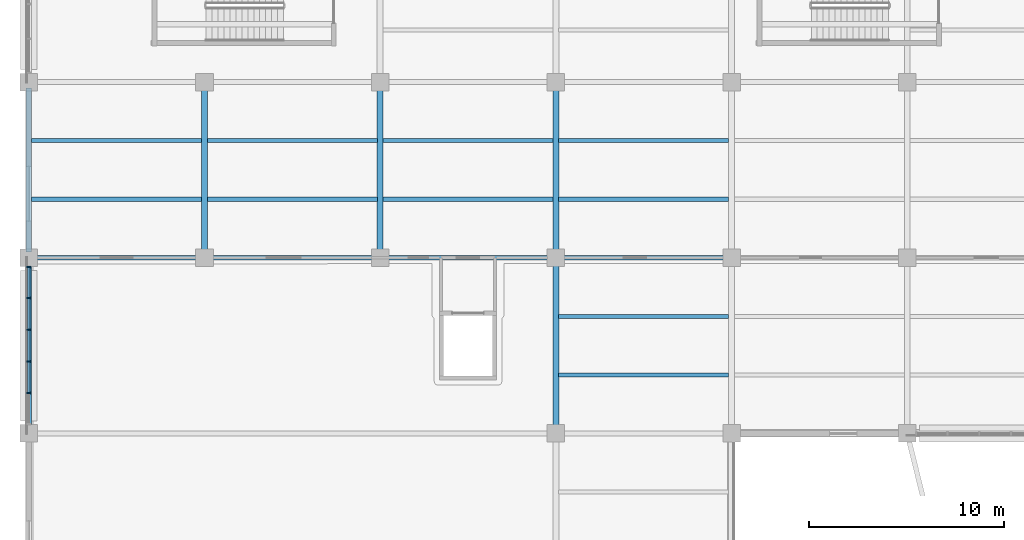
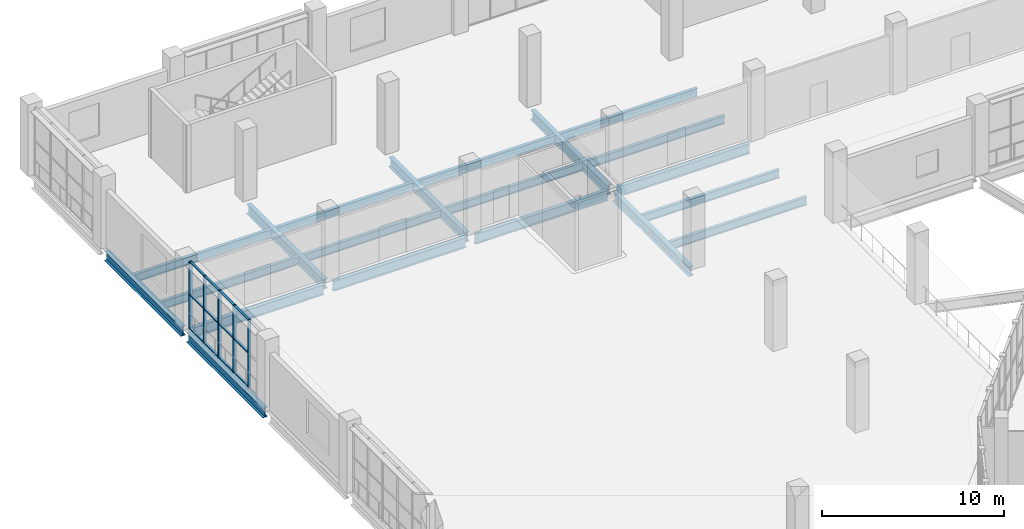
# One storey, part 49 of 183: 20 beams, 17 members, 1 element without a shape of its own.
"""IFC4 building model written with IfcOpenShell, lengths in metres."""

from ifc_helpers import new_model, si_unit, direction, frame, origin, origin_2d, place, context, subcontext, project, spatial, rectangle, i_section, extrude, material, material_profile, profile_set, type_object, element, aggregate, save


model = new_model("IFC4")

# Units and contexts
model_context = context("Model", 3, precision=1e-05, world=origin(), true_north=direction((0.0, 1.0)))
body_context = subcontext(model_context, "Body", "Model", "MODEL_VIEW")
ifc_project = project(units=[si_unit("LENGTHUNIT", "METRE"), si_unit("AREAUNIT", "SQUARE_METRE"), si_unit("VOLUMEUNIT", "CUBIC_METRE"), si_unit("PLANEANGLEUNIT", "RADIAN"), si_unit("MASSUNIT", "GRAM", prefix="KILO")], contexts=[model_context])

# Site, building, storey
site_placement = place(None, origin())
site = spatial("IfcSite", under=ifc_project, at=site_placement, CompositionType="ELEMENT")
building_placement = place(site_placement, origin())
building = spatial("IfcBuilding", under=site, at=building_placement, Name="Zevraka Park Crest Stadium", CompositionType="ELEMENT")
storey_placement = place(building_placement, frame((0.0, 0.0, 5.39990234375)))
storey = spatial("IfcBuildingStorey", under=building, at=storey_placement, Name="L01", CompositionType="ELEMENT", Elevation=5.39990234375)

# Beams
ifc_material_1 = material(Name="Steel S355", Category="steel")
ifc_material_profile_1 = material_profile(ifc_material_1, i_section(OverallWidth=0.253662109375, OverallDepth=0.68359375, WebThickness=0.012451171875, FlangeThickness=0.01904296875, at=origin_2d()), Name="UKB 686x254x140")
ifc_profile_set_1 = profile_set([ifc_material_profile_1], Name="Steel S355")
beam_type_1 = type_object("IfcBeamType", Name="BG05", PredefinedType="BEAM", material=ifc_profile_set_1)
for number, where, z_axis, x_axis, name in (
    (1, (0.300048828125, 167.0, -0.649658203125), (1.0, 0.0, 0.0), (0.0, 1.0, 0.0), "Wing Girder BG05 L01-12/U"),
    (2, (9.300048828125, 167.0, -0.649658203125), (1.0, 0.0, 0.0), (0.0, 1.0, 0.0), "Wing Girder BG05 L01-23/U"),
    (3, (18.300048828125, 167.0, -0.649658203125), (1.0, 0.0, 0.0), (0.0, 1.0, 0.0), "Wing Girder BG05 L01-34/U"),
    (4, (27.300048828125, 167.0, -0.649658203125), (1.0, 0.0, 0.0), (0.0, 1.0, 0.0), "Wing Girder BG05 L01-45/U"),
):
    element("IfcBeam", number, at=place(storey_placement, frame(where, z_axis=z_axis, x_axis=x_axis)), inside=storey, type_object=beam_type_1, Name=name, PredefinedType="BEAM", context=body_context, shape_type="SweptSolid", body=[
        extrude(i_section(OverallWidth=0.253662109375, OverallDepth=0.68359375, WebThickness=0.012451171875, FlangeThickness=0.01904296875, at=origin_2d()), origin(), (0.0, 0.0, 1.0), 8.39990234375),
    ])
ifc_material_2 = material(Name="Steel S355", Category="steel")
ifc_material_profile_2 = material_profile(ifc_material_2, i_section(OverallWidth=0.300048828125, OverallDepth=0.64990234375, WebThickness=0.01611328125, FlangeThickness=0.031005859375, at=origin_2d()), Name="HEB 650")
ifc_profile_set_2 = profile_set([ifc_material_profile_2], Name="Steel S355")
beam_type_2 = type_object("IfcBeamType", Name="BG07", PredefinedType="BEAM", material=ifc_profile_set_2)
for number, where, z_axis, x_axis, name in (
    (5, (0.0, 158.300048828125, -0.6328125), (0.0, 1.0, 0.0), (-1.0, 0.0, 0.0), "Wing Girder BG07 L01-1/TU"),
    (6, (0.0, 167.300048828125, -0.6328125), (0.0, 1.0, 0.0), (-1.0, 0.0, 0.0), "Wing Girder BG07 L01-1/UV"),
    (7, (9.0, 167.300048828125, -0.6328125), (0.0, 1.0, 0.0), (-1.0, 0.0, 0.0), "Wing Girder BG07 L01-2/UV"),
    (8, (18.0, 167.300048828125, -0.6328125), (0.0, 1.0, 0.0), (-1.0, 0.0, 0.0), "Wing Girder BG07 L01-3/UV"),
    (9, (27.0, 158.300048828125, -0.6328125), (0.0, 1.0, 0.0), (-1.0, 0.0, 0.0), "Wing Girder BG07 L01-4/TU"),
    (10, (27.0, 167.300048828125, -0.6328125), (0.0, 1.0, 0.0), (-1.0, 0.0, 0.0), "Wing Girder BG07 L01-4/UV"),
):
    element("IfcBeam", number, at=place(storey_placement, frame(where, z_axis=z_axis, x_axis=x_axis)), inside=storey, type_object=beam_type_2, Name=name, PredefinedType="BEAM", context=body_context, shape_type="SweptSolid", body=[
        extrude(i_section(OverallWidth=0.300048828125, OverallDepth=0.64990234375, WebThickness=0.01611328125, FlangeThickness=0.031005859375, at=origin_2d()), origin(), (0.0, 0.0, 1.0), 8.39990234375),
    ])

# Curtain wall, members
ifc_material_3 = material(Name="Anodised architectural aluminium and laminated safety glass", Category="aluminium")
curtain_wall_type = type_object("IfcCurtainWallType", Name="CW27", PredefinedType="NOTDEFINED", material=ifc_material_3)
curtain_wall_placement = place(storey_placement, origin())
curtain_wall = element("IfcCurtainWall", 11, at=curtain_wall_placement, inside=storey, type_object=curtain_wall_type, Name="Wing Curtain Wall CW27 L01-NW-W-6", PredefinedType="NOTDEFINED")
ifc_material_4 = material(Name="Anodised architectural aluminium", Category="aluminium")
ifc_material_profile_3 = material_profile(ifc_material_4, rectangle(XDim=0.199951171875, YDim=0.070068359375, at=origin_2d()), Name="ALU MULLION 200x70")
ifc_profile_set_3 = profile_set([ifc_material_profile_3], Name="Anodised architectural aluminium")
member_type_1 = type_object("IfcMemberType", Name="CM03", PredefinedType="MULLION", material=ifc_profile_set_3)
member_1_placement = place(storey_placement, frame((0.0, 160.06396484375, 0.0), z_axis=(0.0, 0.0, 1.0), x_axis=(-1.0, 0.0, 0.0)))
member_1 = element("IfcMember", 12, at=member_1_placement, type_object=member_type_1, Name="CW27 mullion 2", PredefinedType="MULLION", context=body_context, shape_type="SweptSolid", body=[
    extrude(rectangle(XDim=0.199951171875, YDim=0.070068359375, at=origin_2d()), origin(), (0.0, 0.0, 1.0), 4.52001953125),
])
member_2_placement = place(storey_placement, frame((0.0, 161.68798828125, 0.0), z_axis=(0.0, 0.0, 1.0), x_axis=(-1.0, 0.0, 0.0)))
member_2 = element("IfcMember", 13, at=member_2_placement, type_object=member_type_1, Name="CW27 mullion 3", PredefinedType="MULLION", context=body_context, shape_type="SweptSolid", body=[
    extrude(rectangle(XDim=0.199951171875, YDim=0.070068359375, at=origin_2d()), origin(), (0.0, 0.0, 1.0), 4.52001953125),
])
member_3_placement = place(storey_placement, frame((0.0, 163.31201171875, 0.0), z_axis=(0.0, 0.0, 1.0), x_axis=(-1.0, 0.0, 0.0)))
member_3 = element("IfcMember", 14, at=member_3_placement, type_object=member_type_1, Name="CW27 mullion 4", PredefinedType="MULLION", context=body_context, shape_type="SweptSolid", body=[
    extrude(rectangle(XDim=0.199951171875, YDim=0.070068359375, at=origin_2d()), origin(), (0.0, 0.0, 1.0), 4.52001953125),
])
member_4_placement = place(storey_placement, frame((0.0, 164.93603515625, 0.0), z_axis=(0.0, 0.0, 1.0), x_axis=(-1.0, 0.0, 0.0)))
member_4 = element("IfcMember", 15, at=member_4_placement, type_object=member_type_1, Name="CW27 mullion 5", PredefinedType="MULLION", context=body_context, shape_type="SweptSolid", body=[
    extrude(rectangle(XDim=0.199951171875, YDim=0.070068359375, at=origin_2d()), origin(), (0.0, 0.0, 1.0), 4.52001953125),
])
member_5_placement = place(storey_placement, frame((0.0, 166.52490234375, 0.0), z_axis=(0.0, 0.0, 1.0), x_axis=(-1.0, 0.0, 0.0)))
member_5 = element("IfcMember", 16, at=member_5_placement, type_object=member_type_1, Name="CW27 mullion 6", PredefinedType="MULLION", context=body_context, shape_type="SweptSolid", body=[
    extrude(rectangle(XDim=0.199951171875, YDim=0.070068359375, at=origin_2d()), origin(), (0.0, 0.0, 1.0), 4.52001953125),
])
ifc_material_5 = material(Name="Anodised architectural aluminium", Category="aluminium")
ifc_material_profile_4 = material_profile(ifc_material_5, rectangle(XDim=0.14990234375, YDim=0.070068359375, at=origin_2d()), Name="ALU TRANSOM 150x70")
ifc_profile_set_4 = profile_set([ifc_material_profile_4], Name="Anodised architectural aluminium")
member_type_2 = type_object("IfcMemberType", Name="CT03", PredefinedType="USERDEFINED", material=ifc_profile_set_4)
member_6_placement = place(storey_placement, frame((0.0, 160.09912109375, 0.03515625), z_axis=(0.0, 1.0, 0.0), x_axis=(-1.0, 0.0, 0.0)))
member_6 = element("IfcMember", 17, at=member_6_placement, type_object=member_type_2, Name="CW27 transom 2.1", ObjectType="TRANSOM", PredefinedType="USERDEFINED", context=body_context, shape_type="SweptSolid", body=[
    extrude(rectangle(XDim=0.14990234375, YDim=0.070068359375, at=origin_2d()), origin(), (0.0, 0.0, 1.0), 1.553955078125),
])
member_7_placement = place(storey_placement, frame((0.0, 160.09912109375, 2.300048828125), z_axis=(0.0, 1.0, 0.0), x_axis=(-1.0, 0.0, 0.0)))
member_7 = element("IfcMember", 18, at=member_7_placement, type_object=member_type_2, Name="CW27 transom 2.2", ObjectType="TRANSOM", PredefinedType="USERDEFINED", context=body_context, shape_type="SweptSolid", body=[
    extrude(rectangle(XDim=0.14990234375, YDim=0.070068359375, at=origin_2d()), origin(), (0.0, 0.0, 1.0), 1.553955078125),
])
member_8_placement = place(storey_placement, frame((0.0, 160.09912109375, 4.485107421875), z_axis=(0.0, 1.0, 0.0), x_axis=(-1.0, 0.0, 0.0)))
member_8 = element("IfcMember", 19, at=member_8_placement, type_object=member_type_2, Name="CW27 transom 2.3", ObjectType="TRANSOM", PredefinedType="USERDEFINED", context=body_context, shape_type="SweptSolid", body=[
    extrude(rectangle(XDim=0.14990234375, YDim=0.070068359375, at=origin_2d()), origin(), (0.0, 0.0, 1.0), 1.553955078125),
])
member_9_placement = place(storey_placement, frame((0.0, 161.722900390625, 0.03515625), z_axis=(0.0, 1.0, 0.0), x_axis=(-1.0, 0.0, 0.0)))
member_9 = element("IfcMember", 20, at=member_9_placement, type_object=member_type_2, Name="CW27 transom 3.1", ObjectType="TRANSOM", PredefinedType="USERDEFINED", context=body_context, shape_type="SweptSolid", body=[
    extrude(rectangle(XDim=0.14990234375, YDim=0.070068359375, at=origin_2d()), origin(), (0.0, 0.0, 1.0), 1.55419921875),
])
member_10_placement = place(storey_placement, frame((0.0, 161.722900390625, 2.300048828125), z_axis=(0.0, 1.0, 0.0), x_axis=(-1.0, 0.0, 0.0)))
member_10 = element("IfcMember", 21, at=member_10_placement, type_object=member_type_2, Name="CW27 transom 3.2", ObjectType="TRANSOM", PredefinedType="USERDEFINED", context=body_context, shape_type="SweptSolid", body=[
    extrude(rectangle(XDim=0.14990234375, YDim=0.070068359375, at=origin_2d()), origin(), (0.0, 0.0, 1.0), 1.55419921875),
])
member_11_placement = place(storey_placement, frame((0.0, 161.722900390625, 4.485107421875), z_axis=(0.0, 1.0, 0.0), x_axis=(-1.0, 0.0, 0.0)))
member_11 = element("IfcMember", 22, at=member_11_placement, type_object=member_type_2, Name="CW27 transom 3.3", ObjectType="TRANSOM", PredefinedType="USERDEFINED", context=body_context, shape_type="SweptSolid", body=[
    extrude(rectangle(XDim=0.14990234375, YDim=0.070068359375, at=origin_2d()), origin(), (0.0, 0.0, 1.0), 1.55419921875),
])
member_12_placement = place(storey_placement, frame((0.0, 163.346923828125, 0.03515625), z_axis=(0.0, 1.0, 0.0), x_axis=(-1.0, 0.0, 0.0)))
member_12 = element("IfcMember", 23, at=member_12_placement, type_object=member_type_2, Name="CW27 transom 4.1", ObjectType="TRANSOM", PredefinedType="USERDEFINED", context=body_context, shape_type="SweptSolid", body=[
    extrude(rectangle(XDim=0.14990234375, YDim=0.070068359375, at=origin_2d()), origin(), (0.0, 0.0, 1.0), 1.553955078125),
])
member_13_placement = place(storey_placement, frame((0.0, 163.346923828125, 2.300048828125), z_axis=(0.0, 1.0, 0.0), x_axis=(-1.0, 0.0, 0.0)))
member_13 = element("IfcMember", 24, at=member_13_placement, type_object=member_type_2, Name="CW27 transom 4.2", ObjectType="TRANSOM", PredefinedType="USERDEFINED", context=body_context, shape_type="SweptSolid", body=[
    extrude(rectangle(XDim=0.14990234375, YDim=0.070068359375, at=origin_2d()), origin(), (0.0, 0.0, 1.0), 1.553955078125),
])
member_14_placement = place(storey_placement, frame((0.0, 163.346923828125, 4.485107421875), z_axis=(0.0, 1.0, 0.0), x_axis=(-1.0, 0.0, 0.0)))
member_14 = element("IfcMember", 25, at=member_14_placement, type_object=member_type_2, Name="CW27 transom 4.3", ObjectType="TRANSOM", PredefinedType="USERDEFINED", context=body_context, shape_type="SweptSolid", body=[
    extrude(rectangle(XDim=0.14990234375, YDim=0.070068359375, at=origin_2d()), origin(), (0.0, 0.0, 1.0), 1.553955078125),
])
member_15_placement = place(storey_placement, frame((0.0, 164.970947265625, 0.03515625), z_axis=(0.0, 1.0, 0.0), x_axis=(-1.0, 0.0, 0.0)))
member_15 = element("IfcMember", 26, at=member_15_placement, type_object=member_type_2, Name="CW27 transom 5.1", ObjectType="TRANSOM", PredefinedType="USERDEFINED", context=body_context, shape_type="SweptSolid", body=[
    extrude(rectangle(XDim=0.14990234375, YDim=0.070068359375, at=origin_2d()), origin(), (0.0, 0.0, 1.0), 1.51904296875),
])
member_16_placement = place(storey_placement, frame((0.0, 164.970947265625, 2.300048828125), z_axis=(0.0, 1.0, 0.0), x_axis=(-1.0, 0.0, 0.0)))
member_16 = element("IfcMember", 27, at=member_16_placement, type_object=member_type_2, Name="CW27 transom 5.2", ObjectType="TRANSOM", PredefinedType="USERDEFINED", context=body_context, shape_type="SweptSolid", body=[
    extrude(rectangle(XDim=0.14990234375, YDim=0.070068359375, at=origin_2d()), origin(), (0.0, 0.0, 1.0), 1.51904296875),
])
member_17_placement = place(storey_placement, frame((0.0, 164.970947265625, 4.485107421875), z_axis=(0.0, 1.0, 0.0), x_axis=(-1.0, 0.0, 0.0)))
member_17 = element("IfcMember", 28, at=member_17_placement, type_object=member_type_2, Name="CW27 transom 5.3", ObjectType="TRANSOM", PredefinedType="USERDEFINED", context=body_context, shape_type="SweptSolid", body=[
    extrude(rectangle(XDim=0.14990234375, YDim=0.070068359375, at=origin_2d()), origin(), (0.0, 0.0, 1.0), 1.51904296875),
])
aggregate(curtain_wall, [member_1, member_2, member_3, member_4, member_5, member_6, member_7, member_8, member_9, member_10, member_11, member_12, member_13, member_14, member_15, member_16, member_17])

# Beams
ifc_material_6 = material(Name="Steel S355", Category="steel")
ifc_material_profile_5 = material_profile(ifc_material_6, i_section(OverallWidth=0.2099609375, OverallDepth=0.550048828125, WebThickness=0.010986328125, FlangeThickness=0.01708984375, at=origin_2d()), Name="IPE 550")
ifc_profile_set_5 = profile_set([ifc_material_profile_5], Name="Steel S355")
beam_type_3 = type_object("IfcBeamType", Name="SJ04", PredefinedType="JOIST", material=ifc_profile_set_5)
for number, where, z_axis, x_axis, name in (
    (29, (0.14501953125, 170.0, -0.5849609375), (1.0, 0.0, 0.0), (0.0, 1.0, 0.0), "Wing Joist SJ04 L01-1/U-1"),
    (30, (0.14501953125, 173.0, -0.5849609375), (1.0, 0.0, 0.0), (0.0, 1.0, 0.0), "Wing Joist SJ04 L01-1/U-2"),
    (31, (9.14501953125, 170.0, -0.5849609375), (1.0, 0.0, 0.0), (0.0, 1.0, 0.0), "Wing Joist SJ04 L01-2/U-1"),
    (32, (9.14501953125, 173.0, -0.5849609375), (1.0, 0.0, 0.0), (0.0, 1.0, 0.0), "Wing Joist SJ04 L01-2/U-2"),
    (33, (18.14501953125, 170.0, -0.5849609375), (1.0, 0.0, 0.0), (0.0, 1.0, 0.0), "Wing Joist SJ04 L01-3/U-1"),
    (34, (18.14501953125, 173.0, -0.5849609375), (1.0, 0.0, 0.0), (0.0, 1.0, 0.0), "Wing Joist SJ04 L01-3/U-2"),
    (35, (27.14501953125, 161.0, -0.5849609375), (1.0, 0.0, 0.0), (0.0, 1.0, 0.0), "Wing Joist SJ04 L01-4/T-1"),
    (36, (27.14501953125, 164.0, -0.5849609375), (1.0, 0.0, 0.0), (0.0, 1.0, 0.0), "Wing Joist SJ04 L01-4/T-2"),
    (37, (27.14501953125, 170.0, -0.5849609375), (1.0, 0.0, 0.0), (0.0, 1.0, 0.0), "Wing Joist SJ04 L01-4/U-1"),
    (38, (27.14501953125, 173.0, -0.5849609375), (1.0, 0.0, 0.0), (0.0, 1.0, 0.0), "Wing Joist SJ04 L01-4/U-2"),
):
    element("IfcBeam", number, at=place(storey_placement, frame(where, z_axis=z_axis, x_axis=x_axis)), inside=storey, type_object=beam_type_3, Name=name, PredefinedType="JOIST", context=body_context, shape_type="SweptSolid", body=[
        extrude(i_section(OverallWidth=0.2099609375, OverallDepth=0.550048828125, WebThickness=0.010986328125, FlangeThickness=0.01708984375, at=origin_2d()), origin(), (0.0, 0.0, 1.0), 8.7099609375),
    ])

save(model, "model.ifc")
